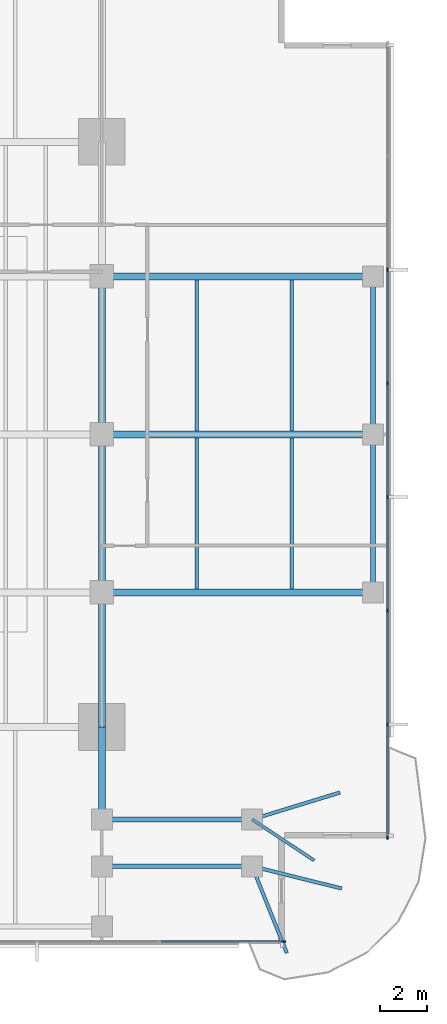
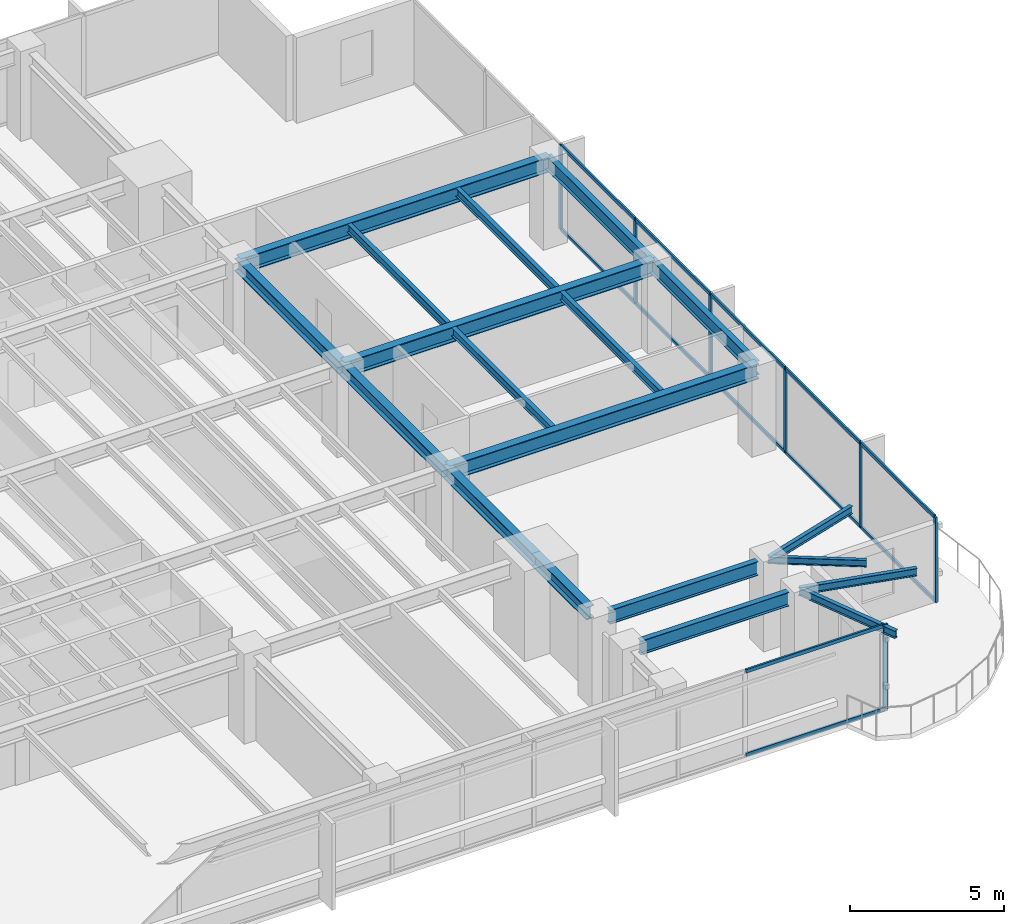
# One storey, part 4 of 14: 19 beams, 19 members, 2 elements without a shape of their own.
"""IFC4 building model written with IfcOpenShell, lengths in metres."""

from ifc_helpers import new_model, si_unit, direction, frame, origin, origin_2d, place, context, subcontext, project, spatial, rectangle, i_section, extrude, material, layer, layer_set, material_profile, profile_set, type_object, element, aggregate, save


model = new_model("IFC4")

# Units and contexts
model_context = context("Model", 3, precision=1e-05, world=origin(), true_north=direction((0.0, 1.0)))
body_context = subcontext(model_context, "Body", "Model", "MODEL_VIEW")
ifc_project = project(units=[si_unit("LENGTHUNIT", "METRE"), si_unit("AREAUNIT", "SQUARE_METRE"), si_unit("VOLUMEUNIT", "CUBIC_METRE"), si_unit("PLANEANGLEUNIT", "RADIAN"), si_unit("MASSUNIT", "GRAM", prefix="KILO")], contexts=[model_context])

# Site, building, storey
site_placement = place(None, origin())
site = spatial("IfcSite", under=ifc_project, at=site_placement, CompositionType="ELEMENT")
building_placement = place(site_placement, origin())
building = spatial("IfcBuilding", under=site, at=building_placement, Name="Kinhvarn Gate Tower", CompositionType="ELEMENT")
storey_placement = place(building_placement, frame((0.0, 0.0, 123.550048828125)))
storey = spatial("IfcBuildingStorey", under=building, at=storey_placement, Name="L32", CompositionType="ELEMENT", Elevation=123.550048828125)

# Curtain wall, member
ifc_material_1 = material(Name="Anodised aluminium AW-6063", Category="aluminium")
ifc_layer = layer(ifc_material_1, 0.179931640625)
ifc_layer_set = layer_set([ifc_layer], Name="Anodised aluminium AW-6063")
curtain_wall_type = type_object("IfcCurtainWallType", Name="CW-SYS-3", PredefinedType="NOTDEFINED", material=ifc_layer_set)
curtain_wall_1_placement = place(storey_placement, origin())
curtain_wall_1 = element("IfcCurtainWall", 1, at=curtain_wall_1_placement, inside=storey, type_object=curtain_wall_type, Name="Curtain Wall CW3 (L32)", PredefinedType="NOTDEFINED")
ifc_material_profile_1 = material_profile(ifc_material_1, rectangle(XDim=0.06494140625, YDim=0.159912109375, at=origin_2d()), Name="ALU 65x160")
ifc_profile_set_1 = profile_set([ifc_material_profile_1], Name="Anodised aluminium AW-6063")
member_type_1 = type_object("IfcMemberType", Name="CW-MUL-160", PredefinedType="MULLION", material=ifc_profile_set_1)
member_1_placement = place(storey_placement, frame((45.967529296875, 3.590087890625, 0.0), z_axis=(0.0, 0.0, 1.0), x_axis=(0.0, 1.0, 0.0)))
member_1 = element("IfcMember", 2, at=member_1_placement, type_object=member_type_1, Name="CW3 mullion 8", PredefinedType="MULLION", context=body_context, shape_type="SweptSolid", body=[
    extrude(rectangle(XDim=0.06494140625, YDim=0.159912109375, at=origin_2d()), origin(), (0.0, 0.0, 1.0), 3.369873046875),
])

# Curtain wall, members
curtain_wall_2_placement = place(storey_placement, origin())
curtain_wall_2 = element("IfcCurtainWall", 3, at=curtain_wall_2_placement, inside=storey, type_object=curtain_wall_type, Name="Curtain Wall CW3 (L32)", PredefinedType="NOTDEFINED")
member_2_placement = place(storey_placement, frame((50.409912109375, 8.032470703125, 0.0), z_axis=(0.0, 0.0, 1.0), x_axis=(-1.0, 0.0, 0.0)))
member_2 = element("IfcMember", 4, at=member_2_placement, type_object=member_type_1, Name="CW3 mullion 1", PredefinedType="MULLION", context=body_context, shape_type="SweptSolid", body=[
    extrude(rectangle(XDim=0.06494140625, YDim=0.159912109375, at=origin_2d()), origin(), (0.0, 0.0, 1.0), 3.369873046875),
])
member_3_placement = place(storey_placement, frame((50.409912109375, 12.857177734375, 0.0), z_axis=(0.0, 0.0, 1.0), x_axis=(-1.0, 0.0, 0.0)))
member_3 = element("IfcMember", 5, at=member_3_placement, type_object=member_type_1, Name="CW3 mullion 2", PredefinedType="MULLION", context=body_context, shape_type="SweptSolid", body=[
    extrude(rectangle(XDim=0.06494140625, YDim=0.159912109375, at=origin_2d()), origin(), (0.0, 0.0, 1.0), 3.369873046875),
])
member_4_placement = place(storey_placement, frame((50.409912109375, 17.71435546875, 0.0), z_axis=(0.0, 0.0, 1.0), x_axis=(-1.0, 0.0, 0.0)))
member_4 = element("IfcMember", 6, at=member_4_placement, type_object=member_type_1, Name="CW3 mullion 3", PredefinedType="MULLION", context=body_context, shape_type="SweptSolid", body=[
    extrude(rectangle(XDim=0.06494140625, YDim=0.159912109375, at=origin_2d()), origin(), (0.0, 0.0, 1.0), 3.369873046875),
])
member_5_placement = place(storey_placement, frame((50.409912109375, 22.571533203125, 0.0), z_axis=(0.0, 0.0, 1.0), x_axis=(-1.0, 0.0, 0.0)))
member_5 = element("IfcMember", 7, at=member_5_placement, type_object=member_type_1, Name="CW3 mullion 4", PredefinedType="MULLION", context=body_context, shape_type="SweptSolid", body=[
    extrude(rectangle(XDim=0.06494140625, YDim=0.159912109375, at=origin_2d()), origin(), (0.0, 0.0, 1.0), 3.369873046875),
])
member_6_placement = place(storey_placement, frame((50.409912109375, 27.428466796875, 0.0), z_axis=(0.0, 0.0, 1.0), x_axis=(-1.0, 0.0, 0.0)))
member_6 = element("IfcMember", 8, at=member_6_placement, type_object=member_type_1, Name="CW3 mullion 5", PredefinedType="MULLION", context=body_context, shape_type="SweptSolid", body=[
    extrude(rectangle(XDim=0.06494140625, YDim=0.159912109375, at=origin_2d()), origin(), (0.0, 0.0, 1.0), 3.369873046875),
])
member_7_placement = place(storey_placement, frame((50.409912109375, 32.28564453125, 0.0), z_axis=(0.0, 0.0, 1.0), x_axis=(-1.0, 0.0, 0.0)))
member_7 = element("IfcMember", 9, at=member_7_placement, type_object=member_type_1, Name="CW3 mullion 6", PredefinedType="MULLION", context=body_context, shape_type="SweptSolid", body=[
    extrude(rectangle(XDim=0.06494140625, YDim=0.159912109375, at=origin_2d()), origin(), (0.0, 0.0, 1.0), 3.369873046875),
])

# Member
ifc_material_profile_2 = material_profile(ifc_material_1, rectangle(XDim=0.070068359375, YDim=0.139892578125, at=origin_2d()), Name="ALU 70x140")
ifc_profile_set_2 = profile_set([ifc_material_profile_2], Name="Anodised aluminium AW-6063")
member_type_2 = type_object("IfcMemberType", Name="CW-TRN-140", PredefinedType="USERDEFINED", material=ifc_profile_set_2)
member_8_placement = place(storey_placement, frame((40.746826171875, 3.590087890625, 0.034912109375), z_axis=(1.0, 0.0, 0.0), x_axis=(0.0, 1.0, 0.0)))
member_8 = element("IfcMember", 10, at=member_8_placement, type_object=member_type_2, Name="CW3 transom 7.1", ObjectType="TRANSOM", PredefinedType="USERDEFINED", context=body_context, shape_type="SweptSolid", body=[
    extrude(rectangle(XDim=0.070068359375, YDim=0.139892578125, at=origin_2d()), origin(), (0.0, 0.0, 1.0), 5.188232421875),
])

member_9_placement = place(storey_placement, frame((40.746826171875, 3.590087890625, 3.3349609375), z_axis=(1.0, 0.0, 0.0), x_axis=(0.0, 1.0, 0.0)))
member_9 = element("IfcMember", 11, at=member_9_placement, type_object=member_type_2, Name="CW3 transom 7.2", ObjectType="TRANSOM", PredefinedType="USERDEFINED", context=body_context, shape_type="SweptSolid", body=[
    extrude(rectangle(XDim=0.070068359375, YDim=0.139892578125, at=origin_2d()), origin(), (0.0, 0.0, 1.0), 5.188232421875),
])

aggregate(curtain_wall_1, [member_1, member_8, member_9])

member_10_placement = place(storey_placement, frame((50.409912109375, 8.06494140625, 0.034912109375), z_axis=(0.0, 1.0, 0.0), x_axis=(-1.0, 0.0, 0.0)))
member_10 = element("IfcMember", 12, at=member_10_placement, type_object=member_type_2, Name="CW3 transom 1.1", ObjectType="TRANSOM", PredefinedType="USERDEFINED", context=body_context, shape_type="SweptSolid", body=[
    extrude(rectangle(XDim=0.070068359375, YDim=0.139892578125, at=origin_2d()), origin(), (0.0, 0.0, 1.0), 4.759765625),
])

member_11_placement = place(storey_placement, frame((50.409912109375, 8.06494140625, 3.3349609375), z_axis=(0.0, 1.0, 0.0), x_axis=(-1.0, 0.0, 0.0)))
member_11 = element("IfcMember", 13, at=member_11_placement, type_object=member_type_2, Name="CW3 transom 1.2", ObjectType="TRANSOM", PredefinedType="USERDEFINED", context=body_context, shape_type="SweptSolid", body=[
    extrude(rectangle(XDim=0.070068359375, YDim=0.139892578125, at=origin_2d()), origin(), (0.0, 0.0, 1.0), 4.759765625),
])

member_12_placement = place(storey_placement, frame((50.409912109375, 12.8896484375, 0.034912109375), z_axis=(0.0, 1.0, 0.0), x_axis=(-1.0, 0.0, 0.0)))
member_12 = element("IfcMember", 14, at=member_12_placement, type_object=member_type_2, Name="CW3 transom 2.1", ObjectType="TRANSOM", PredefinedType="USERDEFINED", context=body_context, shape_type="SweptSolid", body=[
    extrude(rectangle(XDim=0.070068359375, YDim=0.139892578125, at=origin_2d()), origin(), (0.0, 0.0, 1.0), 4.792236328125),
])

member_13_placement = place(storey_placement, frame((50.409912109375, 12.8896484375, 3.3349609375), z_axis=(0.0, 1.0, 0.0), x_axis=(-1.0, 0.0, 0.0)))
member_13 = element("IfcMember", 15, at=member_13_placement, type_object=member_type_2, Name="CW3 transom 2.2", ObjectType="TRANSOM", PredefinedType="USERDEFINED", context=body_context, shape_type="SweptSolid", body=[
    extrude(rectangle(XDim=0.070068359375, YDim=0.139892578125, at=origin_2d()), origin(), (0.0, 0.0, 1.0), 4.792236328125),
])

member_14_placement = place(storey_placement, frame((50.409912109375, 17.746826171875, 0.034912109375), z_axis=(0.0, 1.0, 0.0), x_axis=(-1.0, 0.0, 0.0)))
member_14 = element("IfcMember", 16, at=member_14_placement, type_object=member_type_2, Name="CW3 transom 3.1", ObjectType="TRANSOM", PredefinedType="USERDEFINED", context=body_context, shape_type="SweptSolid", body=[
    extrude(rectangle(XDim=0.070068359375, YDim=0.139892578125, at=origin_2d()), origin(), (0.0, 0.0, 1.0), 4.7919921875),
])

member_15_placement = place(storey_placement, frame((50.409912109375, 17.746826171875, 3.3349609375), z_axis=(0.0, 1.0, 0.0), x_axis=(-1.0, 0.0, 0.0)))
member_15 = element("IfcMember", 17, at=member_15_placement, type_object=member_type_2, Name="CW3 transom 3.2", ObjectType="TRANSOM", PredefinedType="USERDEFINED", context=body_context, shape_type="SweptSolid", body=[
    extrude(rectangle(XDim=0.070068359375, YDim=0.139892578125, at=origin_2d()), origin(), (0.0, 0.0, 1.0), 4.7919921875),
])

member_16_placement = place(storey_placement, frame((50.409912109375, 22.60400390625, 0.034912109375), z_axis=(0.0, 1.0, 0.0), x_axis=(-1.0, 0.0, 0.0)))
member_16 = element("IfcMember", 18, at=member_16_placement, type_object=member_type_2, Name="CW3 transom 4.1", ObjectType="TRANSOM", PredefinedType="USERDEFINED", context=body_context, shape_type="SweptSolid", body=[
    extrude(rectangle(XDim=0.070068359375, YDim=0.139892578125, at=origin_2d()), origin(), (0.0, 0.0, 1.0), 4.7919921875),
])

member_17_placement = place(storey_placement, frame((50.409912109375, 22.60400390625, 3.3349609375), z_axis=(0.0, 1.0, 0.0), x_axis=(-1.0, 0.0, 0.0)))
member_17 = element("IfcMember", 19, at=member_17_placement, type_object=member_type_2, Name="CW3 transom 4.2", ObjectType="TRANSOM", PredefinedType="USERDEFINED", context=body_context, shape_type="SweptSolid", body=[
    extrude(rectangle(XDim=0.070068359375, YDim=0.139892578125, at=origin_2d()), origin(), (0.0, 0.0, 1.0), 4.7919921875),
])

member_18_placement = place(storey_placement, frame((50.409912109375, 27.461181640625, 0.034912109375), z_axis=(0.0, 1.0, 0.0), x_axis=(-1.0, 0.0, 0.0)))
member_18 = element("IfcMember", 20, at=member_18_placement, type_object=member_type_2, Name="CW3 transom 5.1", ObjectType="TRANSOM", PredefinedType="USERDEFINED", context=body_context, shape_type="SweptSolid", body=[
    extrude(rectangle(XDim=0.070068359375, YDim=0.139892578125, at=origin_2d()), origin(), (0.0, 0.0, 1.0), 4.7919921875),
])

member_19_placement = place(storey_placement, frame((50.409912109375, 27.461181640625, 3.3349609375), z_axis=(0.0, 1.0, 0.0), x_axis=(-1.0, 0.0, 0.0)))
member_19 = element("IfcMember", 21, at=member_19_placement, type_object=member_type_2, Name="CW3 transom 5.2", ObjectType="TRANSOM", PredefinedType="USERDEFINED", context=body_context, shape_type="SweptSolid", body=[
    extrude(rectangle(XDim=0.070068359375, YDim=0.139892578125, at=origin_2d()), origin(), (0.0, 0.0, 1.0), 4.7919921875),
])

aggregate(curtain_wall_2, [member_2, member_3, member_4, member_5, member_6, member_7, member_10, member_11, member_12, member_13, member_14, member_15, member_16, member_17, member_18, member_19])

# Beams
ifc_material_2 = material(Name="Steel S355", Category="steel")
ifc_material_profile_3 = material_profile(ifc_material_2, i_section(OverallWidth=0.300048828125, OverallDepth=0.5, WebThickness=0.014404296875, FlangeThickness=0.028076171875, at=origin_2d()), Name="HEB 500")
ifc_profile_set_3 = profile_set([ifc_material_profile_3], Name="Steel S355")
beam_type_1 = type_object("IfcBeamType", Name="STL-HEB500", PredefinedType="BEAM", material=ifc_profile_set_3)
beam_1_placement = place(storey_placement, frame((38.199951171875, 9.235107421875, 3.119873046875), z_axis=(0.0, 1.0, 0.0), x_axis=(-1.0, 0.0, 0.0)))
element("IfcBeam", 22, at=beam_1_placement, inside=storey, type_object=beam_type_1, Name="Floor Beam PG-14 (L32 MCE-S-A2)", PredefinedType="BEAM", context=body_context, shape_type="SweptSolid", body=[
    extrude(i_section(OverallWidth=0.300048828125, OverallDepth=0.5, WebThickness=0.014404296875, FlangeThickness=0.028076171875, at=origin_2d()), origin(), (0.0, 0.0, 1.0), 3.514892578125),
])
beam_2_placement = place(storey_placement, frame((38.199951171875, 12.75, 3.119873046875), z_axis=(0.0, 1.0, 0.0), x_axis=(-1.0, 0.0, 0.0)))
element("IfcBeam", 23, at=beam_2_placement, inside=storey, type_object=beam_type_1, Name="Floor Beam PG-14 (L32 MG-E-12)", PredefinedType="BEAM", context=body_context, shape_type="SweptSolid", body=[
    extrude(i_section(OverallWidth=0.300048828125, OverallDepth=0.5, WebThickness=0.014404296875, FlangeThickness=0.028076171875, at=origin_2d()), origin(), (0.0, 0.0, 1.0), 5.75),
])
for number, where, z_axis, x_axis, name in (
    (24, (38.199951171875, 18.5, 3.119873046875), (0.0, 1.0, 0.0), (-1.0, 0.0, 0.0), "Floor Beam PG-14 (L32 MG-E-18)"),
    (25, (38.199951171875, 25.25, 3.119873046875), (0.0, 1.0, 0.0), (-1.0, 0.0, 0.0), "Floor Beam PG-14 (L32 MG-E-25)"),
):
    element("IfcBeam", number, at=place(storey_placement, frame(where, z_axis=z_axis, x_axis=x_axis)), inside=storey, type_object=beam_type_1, Name=name, PredefinedType="BEAM", context=body_context, shape_type="SweptSolid", body=[
        extrude(i_section(OverallWidth=0.300048828125, OverallDepth=0.5, WebThickness=0.014404296875, FlangeThickness=0.028076171875, at=origin_2d()), origin(), (0.0, 0.0, 1.0), 6.75),
    ])
ifc_material_profile_4 = material_profile(ifc_material_2, i_section(OverallWidth=0.300048828125, OverallDepth=0.60009765625, WebThickness=0.015380859375, FlangeThickness=0.030029296875, at=origin_2d()), Name="HEB 600")
ifc_profile_set_4 = profile_set([ifc_material_profile_4], Name="Steel S355")
beam_type_2 = type_object("IfcBeamType", Name="STL-HEB600", PredefinedType="BEAM", material=ifc_profile_set_4)
for number, where, z_axis, x_axis, name in (
    (26, (38.199951171875, 18.5, 3.070068359375), (1.0, 0.0, 0.0), (0.0, 1.0, 0.0), "Floor Beam PG-16 (L32 EW2-Y18)"),
    (27, (38.199951171875, 25.25, 3.070068359375), (1.0, 0.0, 0.0), (0.0, 1.0, 0.0), "Floor Beam PG-16 (L32 EW2-Y25)"),
    (28, (38.199951171875, 32.0, 3.070068359375), (1.0, 0.0, 0.0), (0.0, 1.0, 0.0), "Floor Beam PG-16 (L32 EW2-Y32)"),
):
    element("IfcBeam", number, at=place(storey_placement, frame(where, z_axis=z_axis, x_axis=x_axis)), inside=storey, type_object=beam_type_2, Name=name, PredefinedType="BEAM", context=body_context, shape_type="SweptSolid", body=[
        extrude(i_section(OverallWidth=0.300048828125, OverallDepth=0.60009765625, WebThickness=0.015380859375, FlangeThickness=0.030029296875, at=origin_2d()), origin(), (0.0, 0.0, 1.0), 11.580078125),
    ])
ifc_material_profile_5 = material_profile(ifc_material_2, i_section(OverallWidth=0.135009765625, OverallDepth=0.27001953125, WebThickness=0.006591796875, FlangeThickness=0.01025390625, at=origin_2d()), Name="IPE 270")
ifc_profile_set_5 = profile_set([ifc_material_profile_5], Name="Steel S355")
beam_type_3 = type_object("IfcBeamType", Name="STL-IPE270", PredefinedType="JOIST", material=ifc_profile_set_5)
beam_3_placement = place(storey_placement, frame((44.6201171875, 8.800048828125, 3.23486328125), z_axis=(0.834455271211, -0.5510756757, 0.0), x_axis=(0.5510756757, 0.834455271211, 0.0)))
element("IfcBeam", 29, at=beam_3_placement, inside=storey, type_object=beam_type_3, Name="Floor Joist SB-01 (L32 BAL-B3-L33)", PredefinedType="JOIST", context=body_context, shape_type="SweptSolid", body=[
    extrude(i_section(OverallWidth=0.135009765625, OverallDepth=0.27001953125, WebThickness=0.006591796875, FlangeThickness=0.01025390625, at=origin_2d()), origin(), (0.0, 0.0, 1.0), 3.175537109375),
])
ifc_material_profile_6 = material_profile(ifc_material_2, i_section(OverallWidth=0.14990234375, OverallDepth=0.300048828125, WebThickness=0.007080078125, FlangeThickness=0.0107421875, at=origin_2d()), Name="IPE 300")
ifc_profile_set_6 = profile_set([ifc_material_profile_6], Name="Steel S355")
beam_type_4 = type_object("IfcBeamType", Name="STL-IPE300", PredefinedType="JOIST", material=ifc_profile_set_6)
beam_4_placement = place(storey_placement, frame((44.6201171875, 6.800048828125, 3.219970703125), z_axis=(0.97058851083, -0.240744558911, 0.0), x_axis=(0.240744558911, 0.97058851083, 0.0)))
element("IfcBeam", 30, at=beam_4_placement, inside=storey, type_object=beam_type_4, Name="Floor Joist SB-02 (L32 BAL-B1-L33)", PredefinedType="JOIST", context=body_context, shape_type="SweptSolid", body=[
    extrude(i_section(OverallWidth=0.14990234375, OverallDepth=0.300048828125, WebThickness=0.007080078125, FlangeThickness=0.0107421875, at=origin_2d()), origin(), (0.0, 0.0, 1.0), 3.94580078125),
])
beam_5_placement = place(storey_placement, frame((44.6201171875, 6.800048828125, 3.219970703125), z_axis=(0.371390676354, -0.928476690885, 0.0), x_axis=(0.928476690885, 0.371390676354, 0.0)))
element("IfcBeam", 31, at=beam_5_placement, inside=storey, type_object=beam_type_4, Name="Floor Joist SB-02 (L32 BAL-B2-L33)", PredefinedType="JOIST", context=body_context, shape_type="SweptSolid", body=[
    extrude(i_section(OverallWidth=0.14990234375, OverallDepth=0.300048828125, WebThickness=0.007080078125, FlangeThickness=0.0107421875, at=origin_2d()), origin(), (0.0, 0.0, 1.0), 3.98486328125),
])
beam_6_placement = place(storey_placement, frame((44.6201171875, 8.800048828125, 3.219970703125), z_axis=(0.95606118681, 0.293167199862, 0.0), x_axis=(-0.293167199862, 0.95606118681, 0.0)))
element("IfcBeam", 32, at=beam_6_placement, inside=storey, type_object=beam_type_4, Name="Floor Joist SB-02 (L32 BAL-B5-L33)", PredefinedType="JOIST", context=body_context, shape_type="SweptSolid", body=[
    extrude(i_section(OverallWidth=0.14990234375, OverallDepth=0.300048828125, WebThickness=0.007080078125, FlangeThickness=0.0107421875, at=origin_2d()), origin(), (0.0, 0.0, 1.0), 3.92236328125),
])
ifc_material_profile_7 = material_profile(ifc_material_2, i_section(OverallWidth=0.159912109375, OverallDepth=0.330078125, WebThickness=0.007568359375, FlangeThickness=0.011474609375, at=origin_2d()), Name="IPE 330")
ifc_profile_set_7 = profile_set([ifc_material_profile_7], Name="Steel S355")
beam_type_5 = type_object("IfcBeamType", Name="STL-IPE330", PredefinedType="JOIST", material=ifc_profile_set_7)
for number, where, z_axis, x_axis, name in (
    (33, (42.25, 18.64990234375, 3.204833984375), (0.0, 1.0, 0.0), (-1.0, 0.0, 0.0), "Floor Joist SB-03 (L32 JC-X422-1)"),
    (34, (42.25, 25.39990234375, 3.204833984375), (0.0, 1.0, 0.0), (-1.0, 0.0, 0.0), "Floor Joist SB-03 (L32 JC-X422-2)"),
    (35, (46.31005859375, 18.64990234375, 3.204833984375), (0.0, 1.0, 0.0), (-1.0, 0.0, 0.0), "Floor Joist SB-03 (L32 JC-X463-1)"),
    (36, (46.31005859375, 25.39990234375, 3.204833984375), (0.0, 1.0, 0.0), (-1.0, 0.0, 0.0), "Floor Joist SB-03 (L32 JC-X463-2)"),
):
    element("IfcBeam", number, at=place(storey_placement, frame(where, z_axis=z_axis, x_axis=x_axis)), inside=storey, type_object=beam_type_5, Name=name, PredefinedType="JOIST", context=body_context, shape_type="SweptSolid", body=[
        extrude(i_section(OverallWidth=0.159912109375, OverallDepth=0.330078125, WebThickness=0.007568359375, FlangeThickness=0.011474609375, at=origin_2d()), origin(), (0.0, 0.0, 1.0), 6.4501953125),
    ])
ifc_material_profile_8 = material_profile(ifc_material_2, i_section(OverallWidth=0.2099609375, OverallDepth=0.550048828125, WebThickness=0.010986328125, FlangeThickness=0.01708984375, at=origin_2d()), Name="IPE 550")
ifc_profile_set_8 = profile_set([ifc_material_profile_8], Name="Steel S355")
beam_type_6 = type_object("IfcBeamType", Name="STL-IPE550", PredefinedType="SPANDREL", material=ifc_profile_set_8)
for number, where, z_axis, x_axis, name in (
    (37, (38.635009765625, 8.800048828125, 3.094970703125), (1.0, 0.0, 0.0), (0.0, 1.0, 0.0), "Floor Spandrel SB-08 (L32 SP-SE2)"),
    (38, (38.635009765625, 6.800048828125, 3.094970703125), (1.0, 0.0, 0.0), (0.0, 1.0, 0.0), "Floor Spandrel SB-08 (L32 SP-SE2-S)"),
):
    element("IfcBeam", number, at=place(storey_placement, frame(where, z_axis=z_axis, x_axis=x_axis)), inside=storey, type_object=beam_type_6, Name=name, PredefinedType="SPANDREL", context=body_context, shape_type="SweptSolid", body=[
        extrude(i_section(OverallWidth=0.2099609375, OverallDepth=0.550048828125, WebThickness=0.010986328125, FlangeThickness=0.01708984375, at=origin_2d()), origin(), (0.0, 0.0, 1.0), 5.550048828125),
    ])
for number, where, z_axis, x_axis, name in (
    (39, (49.780029296875, 18.5, 3.094970703125), (0.0, 1.0, 0.0), (-1.0, 0.0, 0.0), "Floor Spandrel SB-08 (L32 SP-E2)"),
    (40, (49.780029296875, 25.25, 3.094970703125), (0.0, 1.0, 0.0), (-1.0, 0.0, 0.0), "Floor Spandrel SB-08 (L32 SP-E3)"),
):
    element("IfcBeam", number, at=place(storey_placement, frame(where, z_axis=z_axis, x_axis=x_axis)), inside=storey, type_object=beam_type_6, Name=name, PredefinedType="SPANDREL", context=body_context, shape_type="SweptSolid", body=[
        extrude(i_section(OverallWidth=0.2099609375, OverallDepth=0.550048828125, WebThickness=0.010986328125, FlangeThickness=0.01708984375, at=origin_2d()), origin(), (0.0, 0.0, 1.0), 6.75),
    ])

save(model, "model.ifc")
